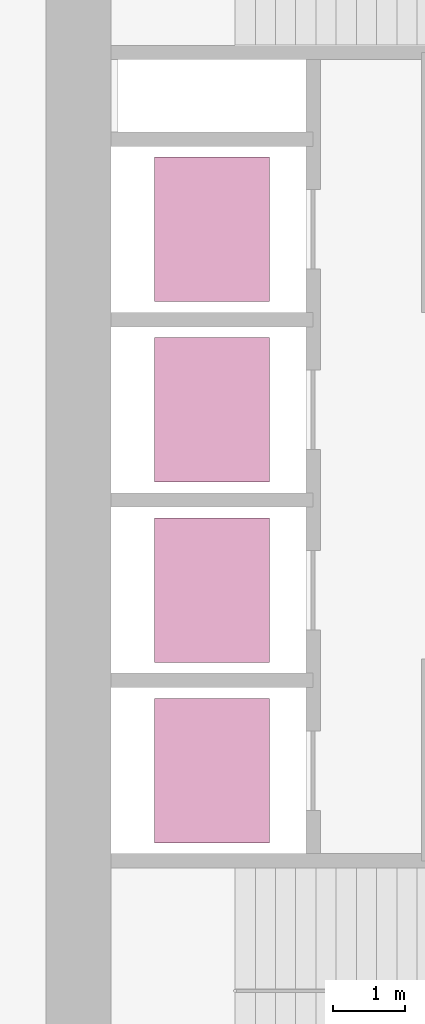
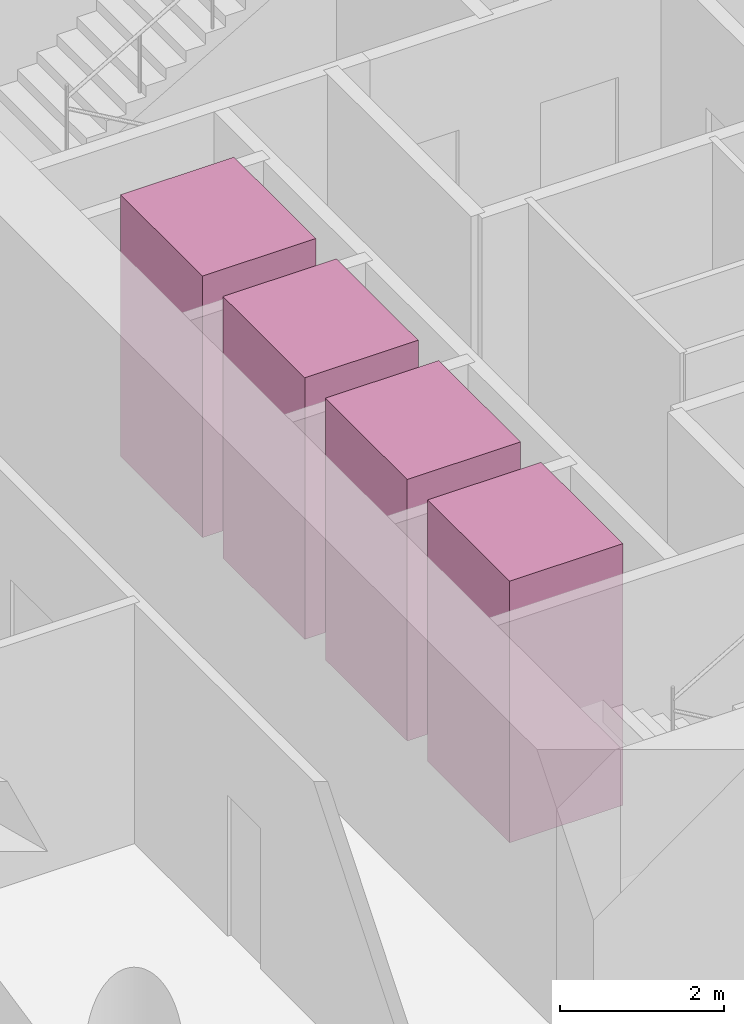
# One storey, part 10 of 10: 4 transport elements.
"""IFC4 building model written with IfcOpenShell, lengths in metres."""

from ifc_helpers import new_model, si_unit, direction, frame, origin, origin_2d, place, context, subcontext, project, spatial, rectangle, extrude, material, type_object, element, save


model = new_model("IFC4")

# Units and contexts
model_context = context("Model", 3, precision=1e-05, world=origin(), true_north=direction((0.0, 1.0)))
body_context = subcontext(model_context, "Body", "Model", "MODEL_VIEW")
ifc_project = project(units=[si_unit("LENGTHUNIT", "METRE"), si_unit("AREAUNIT", "SQUARE_METRE"), si_unit("VOLUMEUNIT", "CUBIC_METRE"), si_unit("PLANEANGLEUNIT", "RADIAN"), si_unit("MASSUNIT", "GRAM", prefix="KILO")], contexts=[model_context])

# Site, building, storey
site_placement = place(None, origin())
site = spatial("IfcSite", under=ifc_project, at=site_placement, CompositionType="ELEMENT")
building_placement = place(site_placement, origin())
building = spatial("IfcBuilding", under=site, at=building_placement, Name="Qaws Garden Tower", CompositionType="ELEMENT")
storey_placement = place(building_placement, frame((0.0, 0.0, 12.0)))
storey = spatial("IfcBuildingStorey", under=building, at=storey_placement, Name="L02", CompositionType="ELEMENT", Elevation=12.0)

# Transport elements
ifc_material = material(Name="Stainless steel 316", Category="steel")
transport_element_type = type_object("IfcTransportElementType", Name="Passenger lift car 2000x1600 1800 kg", PredefinedType="ELEVATOR", material=ifc_material)
for number, where, z_axis, x_axis, name in (
    (1, (10.300048828125, 13.64990234375, 0.0), (0.0, 0.0, 1.0), (1.0, 0.0, 0.0), "LR1"),
    (2, (10.300048828125, 16.14990234375, 0.0), (0.0, 0.0, 1.0), (1.0, 0.0, 0.0), "LR2"),
    (3, (10.300048828125, 18.64990234375, 0.0), (0.0, 0.0, 1.0), (1.0, 0.0, 0.0), "LR3"),
    (4, (10.300048828125, 21.14990234375, 0.0), (0.0, 0.0, 1.0), (1.0, 0.0, 0.0), "LR4"),
):
    element("IfcTransportElement", number, at=place(storey_placement, frame(where, z_axis=z_axis, x_axis=x_axis)), inside=storey, type_object=transport_element_type, Name=name, PredefinedType="ELEVATOR", context=body_context, shape_type="SweptSolid", body=[
        extrude(rectangle(XDim=1.60009765625, YDim=2.0, at=origin_2d()), origin(), (0.0, 0.0, 1.0), 3.89990234375),
    ])

save(model, "model.ifc")
